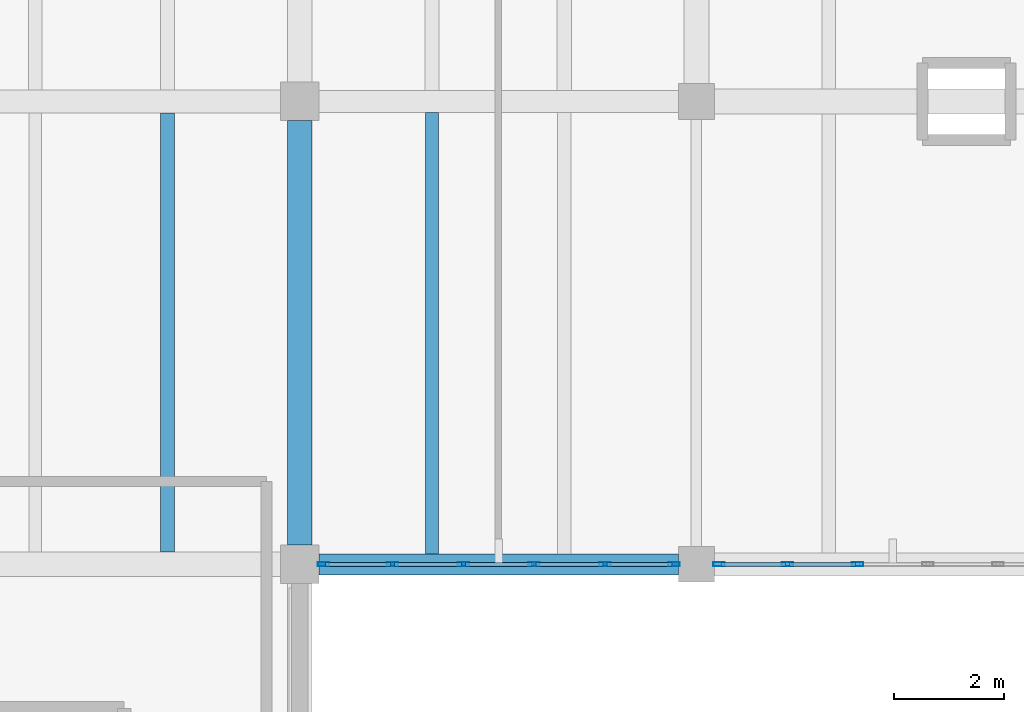
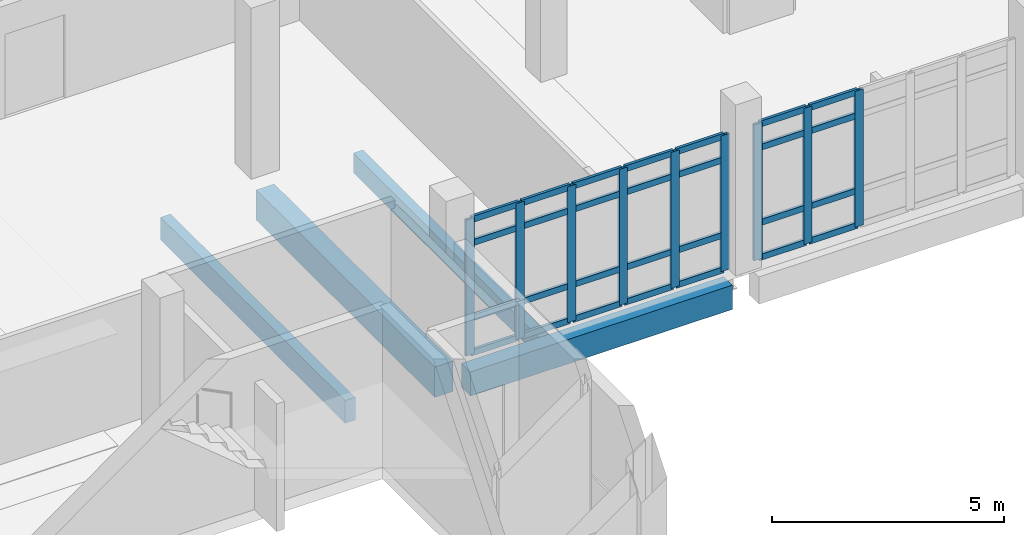
# One storey, part 25 of 57: 37 members, 4 beams, 2 elements without a shape of their own.
"""IFC4 building model written with IfcOpenShell, lengths in metres."""

from ifc_helpers import new_model, si_unit, direction, frame, origin, origin_2d, place, context, subcontext, project, spatial, rectangle, hollow_rectangle, extrude, material, material_profile, profile_set, type_object, element, aggregate, save


model = new_model("IFC4")

# Units and contexts
model_context = context("Model", 3, precision=1e-05, world=origin(), true_north=direction((0.0, 1.0)))
body_context = subcontext(model_context, "Body", "Model", "MODEL_VIEW")
ifc_project = project(units=[si_unit("LENGTHUNIT", "METRE"), si_unit("AREAUNIT", "SQUARE_METRE"), si_unit("VOLUMEUNIT", "CUBIC_METRE"), si_unit("PLANEANGLEUNIT", "RADIAN"), si_unit("MASSUNIT", "GRAM", prefix="KILO")], contexts=[model_context])

# Site, building, storey
site_placement = place(None, origin())
site = spatial("IfcSite", under=ifc_project, at=site_placement, CompositionType="ELEMENT")
building_placement = place(site_placement, origin())
building = spatial("IfcBuilding", under=site, at=building_placement, Name="Kalluvel Institute of Natural Sciences", CompositionType="ELEMENT")
storey_placement = place(building_placement, frame((0.0, 0.0, 23.39990234375)))
storey = spatial("IfcBuildingStorey", under=building, at=storey_placement, Name="L05", CompositionType="ELEMENT", Elevation=23.39990234375)

# Beams
ifc_material_1 = material(Name="Concrete M40", Category="concrete")
ifc_material_profile_1 = material_profile(ifc_material_1, rectangle(XDim=0.3798828125, YDim=0.639892578125, at=origin_2d()), Name="RCB 380x640")
ifc_profile_set_1 = profile_set([ifc_material_profile_1], Name="Concrete M40")
beam_type_1 = type_object("IfcBeamType", Name="BM-RC380x640", PredefinedType="BEAM", material=ifc_profile_set_1)
beam_1_placement = place(storey_placement, frame((57.550048828125, 102.800048828125, -0.639892578125), z_axis=(1.0, 0.0, 0.0), x_axis=(0.0, 1.0, 0.0)))
element("IfcBeam", 1, at=beam_1_placement, inside=storey, type_object=beam_type_1, Name="L05 girder GIR-L05-EW-X572-Y1028", PredefinedType="BEAM", context=body_context, shape_type="SweptSolid", body=[
    extrude(rectangle(XDim=0.3798828125, YDim=0.639892578125, at=origin_2d()), origin(), (0.0, 0.0, 1.0), 6.52490234375),
])
ifc_material_profile_2 = material_profile(ifc_material_1, rectangle(XDim=0.449951171875, YDim=0.800048828125, at=origin_2d()), Name="RCB 450x800")
ifc_profile_set_2 = profile_set([ifc_material_profile_2], Name="Concrete M40")
beam_type_2 = type_object("IfcBeamType", Name="BM-RC450x800", PredefinedType="BEAM", material=ifc_profile_set_2)
beam_2_placement = place(storey_placement, frame((57.199951171875, 103.14990234375, -0.719970703125), z_axis=(0.0, 1.0, 0.0), x_axis=(-1.0, 0.0, 0.0)))
element("IfcBeam", 2, at=beam_2_placement, inside=storey, type_object=beam_type_2, Name="L05 girder GIR-L05-NS-X572-Y1028", PredefinedType="BEAM", context=body_context, shape_type="SweptSolid", body=[
    extrude(rectangle(XDim=0.449951171875, YDim=0.800048828125, at=origin_2d()), origin(), (0.0, 0.0, 1.0), 7.7001953125),
])

# Curtain wall, members
ifc_material_2 = material(Name="Aluminium AW-6063 T6", Category="aluminium")
curtain_wall_type = type_object("IfcCurtainWallType", Name="CW-WET-45", PredefinedType="USERDEFINED", material=ifc_material_2)
curtain_wall_1_placement = place(storey_placement, origin())
curtain_wall_1 = element("IfcCurtainWall", 3, at=curtain_wall_1_placement, inside=storey, type_object=curtain_wall_type, Name="L05 Gothic lancet curtain wall CWA-L05-X576-Y1028", ObjectType="UNITISED LANCET FACADE", PredefinedType="USERDEFINED")
ifc_material_profile_3 = material_profile(ifc_material_2, hollow_rectangle(XDim=0.070068359375, YDim=0.2099609375, WallThickness=0.0048828125, at=origin_2d()), Name="CWM 70x210")
ifc_profile_set_3 = profile_set([ifc_material_profile_3], Name="Aluminium AW-6063 T6")
member_type_1 = type_object("IfcMemberType", Name="CWM-70x210", PredefinedType="MULLION", material=ifc_profile_set_3)
member_1_placement = place(storey_placement, frame((57.635009765625, 102.800048828125, 0.0), z_axis=(0.0, 0.0, 1.0), x_axis=(0.0, 1.0, 0.0)))
member_1 = element("IfcMember", 4, at=member_1_placement, type_object=member_type_1, Name="CW-01 mullion 1", PredefinedType="MULLION", context=body_context, shape_type="SweptSolid", body=[
    extrude(hollow_rectangle(XDim=0.070068359375, YDim=0.2099609375, WallThickness=0.0048828125, at=origin_2d()), origin(), (0.0, 0.0, 1.0), 3.580078125),
])
member_2_placement = place(storey_placement, frame((58.885009765625, 102.800048828125, 0.0), z_axis=(0.0, 0.0, 1.0), x_axis=(0.0, 1.0, 0.0)))
member_2 = element("IfcMember", 5, at=member_2_placement, type_object=member_type_1, Name="CW-01 mullion 2", PredefinedType="MULLION", context=body_context, shape_type="SweptSolid", body=[
    extrude(hollow_rectangle(XDim=0.070068359375, YDim=0.2099609375, WallThickness=0.0048828125, at=origin_2d()), origin(), (0.0, 0.0, 1.0), 3.580078125),
])
member_3_placement = place(storey_placement, frame((60.169921875, 102.800048828125, 0.0), z_axis=(0.0, 0.0, 1.0), x_axis=(0.0, 1.0, 0.0)))
member_3 = element("IfcMember", 6, at=member_3_placement, type_object=member_type_1, Name="CW-01 mullion 3", PredefinedType="MULLION", context=body_context, shape_type="SweptSolid", body=[
    extrude(hollow_rectangle(XDim=0.070068359375, YDim=0.2099609375, WallThickness=0.0048828125, at=origin_2d()), origin(), (0.0, 0.0, 1.0), 3.580078125),
])
member_4_placement = place(storey_placement, frame((61.455078125, 102.800048828125, 0.0), z_axis=(0.0, 0.0, 1.0), x_axis=(0.0, 1.0, 0.0)))
member_4 = element("IfcMember", 7, at=member_4_placement, type_object=member_type_1, Name="CW-01 mullion 4", PredefinedType="MULLION", context=body_context, shape_type="SweptSolid", body=[
    extrude(hollow_rectangle(XDim=0.070068359375, YDim=0.2099609375, WallThickness=0.0048828125, at=origin_2d()), origin(), (0.0, 0.0, 1.0), 3.580078125),
])
member_5_placement = place(storey_placement, frame((62.739990234375, 102.800048828125, 0.0), z_axis=(0.0, 0.0, 1.0), x_axis=(0.0, 1.0, 0.0)))
member_5 = element("IfcMember", 8, at=member_5_placement, type_object=member_type_1, Name="CW-01 mullion 5", PredefinedType="MULLION", context=body_context, shape_type="SweptSolid", body=[
    extrude(hollow_rectangle(XDim=0.070068359375, YDim=0.2099609375, WallThickness=0.0048828125, at=origin_2d()), origin(), (0.0, 0.0, 1.0), 3.580078125),
])
member_6_placement = place(storey_placement, frame((63.989990234375, 102.800048828125, 0.0), z_axis=(0.0, 0.0, 1.0), x_axis=(0.0, 1.0, 0.0)))
member_6 = element("IfcMember", 9, at=member_6_placement, type_object=member_type_1, Name="CW-01 mullion 6", PredefinedType="MULLION", context=body_context, shape_type="SweptSolid", body=[
    extrude(hollow_rectangle(XDim=0.070068359375, YDim=0.2099609375, WallThickness=0.0048828125, at=origin_2d()), origin(), (0.0, 0.0, 1.0), 3.580078125),
])

curtain_wall_2_placement = place(storey_placement, origin())
curtain_wall_2 = element("IfcCurtainWall", 10, at=curtain_wall_2_placement, inside=storey, type_object=curtain_wall_type, Name="L05 Gothic lancet curtain wall CWA-L05-X648-Y1028", ObjectType="UNITISED LANCET FACADE", PredefinedType="USERDEFINED")
member_7_placement = place(storey_placement, frame((64.81005859375, 102.800048828125, 0.0), z_axis=(0.0, 0.0, 1.0), x_axis=(0.0, 1.0, 0.0)))
member_7 = element("IfcMember", 11, at=member_7_placement, type_object=member_type_1, Name="CW-01 mullion 1", PredefinedType="MULLION", context=body_context, shape_type="SweptSolid", body=[
    extrude(hollow_rectangle(XDim=0.070068359375, YDim=0.2099609375, WallThickness=0.0048828125, at=origin_2d()), origin(), (0.0, 0.0, 1.0), 3.580078125),
])
member_8_placement = place(storey_placement, frame((66.050048828125, 102.800048828125, 0.0), z_axis=(0.0, 0.0, 1.0), x_axis=(0.0, 1.0, 0.0)))
member_8 = element("IfcMember", 12, at=member_8_placement, type_object=member_type_1, Name="CW-01 mullion 2", PredefinedType="MULLION", context=body_context, shape_type="SweptSolid", body=[
    extrude(hollow_rectangle(XDim=0.070068359375, YDim=0.2099609375, WallThickness=0.0048828125, at=origin_2d()), origin(), (0.0, 0.0, 1.0), 3.580078125),
])
member_9_placement = place(storey_placement, frame((67.324951171875, 102.800048828125, 0.0), z_axis=(0.0, 0.0, 1.0), x_axis=(0.0, 1.0, 0.0)))
member_9 = element("IfcMember", 13, at=member_9_placement, type_object=member_type_1, Name="CW-01 mullion 3", PredefinedType="MULLION", context=body_context, shape_type="SweptSolid", body=[
    extrude(hollow_rectangle(XDim=0.070068359375, YDim=0.2099609375, WallThickness=0.0048828125, at=origin_2d()), origin(), (0.0, 0.0, 1.0), 3.580078125),
])

# Member
ifc_material_profile_4 = material_profile(ifc_material_2, hollow_rectangle(XDim=0.070068359375, YDim=0.159912109375, WallThickness=0.0048828125, at=origin_2d()), Name="CWT 70x160")
ifc_profile_set_4 = profile_set([ifc_material_profile_4], Name="Aluminium AW-6063 T6")
member_type_2 = type_object("IfcMemberType", Name="CWT-70x160", PredefinedType="USERDEFINED", material=ifc_profile_set_4)
member_10_placement = place(storey_placement, frame((57.669921875, 102.800048828125, 0.03515625), z_axis=(1.0, 0.0, 0.0), x_axis=(0.0, 1.0, 0.0)))
member_10 = element("IfcMember", 14, at=member_10_placement, type_object=member_type_2, Name="CW-01 transom 1.1", ObjectType="TRANSOM", PredefinedType="USERDEFINED", context=body_context, shape_type="SweptSolid", body=[
    extrude(hollow_rectangle(XDim=0.070068359375, YDim=0.159912109375, WallThickness=0.0048828125, at=origin_2d()), origin(), (0.0, 0.0, 1.0), 1.18017578125),
])

member_11_placement = place(storey_placement, frame((57.669921875, 102.800048828125, 0.9501953125), z_axis=(1.0, 0.0, 0.0), x_axis=(0.0, 1.0, 0.0)))
member_11 = element("IfcMember", 15, at=member_11_placement, type_object=member_type_2, Name="CW-01 transom 1.2", ObjectType="TRANSOM", PredefinedType="USERDEFINED", context=body_context, shape_type="SweptSolid", body=[
    extrude(hollow_rectangle(XDim=0.070068359375, YDim=0.159912109375, WallThickness=0.0048828125, at=origin_2d()), origin(), (0.0, 0.0, 1.0), 1.18017578125),
])

member_12_placement = place(storey_placement, frame((57.669921875, 102.800048828125, 2.93017578125), z_axis=(1.0, 0.0, 0.0), x_axis=(0.0, 1.0, 0.0)))
member_12 = element("IfcMember", 16, at=member_12_placement, type_object=member_type_2, Name="CW-01 transom 1.3", ObjectType="TRANSOM", PredefinedType="USERDEFINED", context=body_context, shape_type="SweptSolid", body=[
    extrude(hollow_rectangle(XDim=0.070068359375, YDim=0.159912109375, WallThickness=0.0048828125, at=origin_2d()), origin(), (0.0, 0.0, 1.0), 1.18017578125),
])

member_13_placement = place(storey_placement, frame((57.669921875, 102.800048828125, 3.545166015625), z_axis=(1.0, 0.0, 0.0), x_axis=(0.0, 1.0, 0.0)))
member_13 = element("IfcMember", 17, at=member_13_placement, type_object=member_type_2, Name="CW-01 transom 1.4", ObjectType="TRANSOM", PredefinedType="USERDEFINED", context=body_context, shape_type="SweptSolid", body=[
    extrude(hollow_rectangle(XDim=0.070068359375, YDim=0.159912109375, WallThickness=0.0048828125, at=origin_2d()), origin(), (0.0, 0.0, 1.0), 1.18017578125),
])

member_14_placement = place(storey_placement, frame((58.919921875, 102.800048828125, 0.03515625), z_axis=(1.0, 0.0, 0.0), x_axis=(0.0, 1.0, 0.0)))
member_14 = element("IfcMember", 18, at=member_14_placement, type_object=member_type_2, Name="CW-01 transom 2.1", ObjectType="TRANSOM", PredefinedType="USERDEFINED", context=body_context, shape_type="SweptSolid", body=[
    extrude(hollow_rectangle(XDim=0.070068359375, YDim=0.159912109375, WallThickness=0.0048828125, at=origin_2d()), origin(), (0.0, 0.0, 1.0), 1.215087890625),
])

member_15_placement = place(storey_placement, frame((58.919921875, 102.800048828125, 0.9501953125), z_axis=(1.0, 0.0, 0.0), x_axis=(0.0, 1.0, 0.0)))
member_15 = element("IfcMember", 19, at=member_15_placement, type_object=member_type_2, Name="CW-01 transom 2.2", ObjectType="TRANSOM", PredefinedType="USERDEFINED", context=body_context, shape_type="SweptSolid", body=[
    extrude(hollow_rectangle(XDim=0.070068359375, YDim=0.159912109375, WallThickness=0.0048828125, at=origin_2d()), origin(), (0.0, 0.0, 1.0), 1.215087890625),
])

member_16_placement = place(storey_placement, frame((58.919921875, 102.800048828125, 2.93017578125), z_axis=(1.0, 0.0, 0.0), x_axis=(0.0, 1.0, 0.0)))
member_16 = element("IfcMember", 20, at=member_16_placement, type_object=member_type_2, Name="CW-01 transom 2.3", ObjectType="TRANSOM", PredefinedType="USERDEFINED", context=body_context, shape_type="SweptSolid", body=[
    extrude(hollow_rectangle(XDim=0.070068359375, YDim=0.159912109375, WallThickness=0.0048828125, at=origin_2d()), origin(), (0.0, 0.0, 1.0), 1.215087890625),
])

member_17_placement = place(storey_placement, frame((58.919921875, 102.800048828125, 3.545166015625), z_axis=(1.0, 0.0, 0.0), x_axis=(0.0, 1.0, 0.0)))
member_17 = element("IfcMember", 21, at=member_17_placement, type_object=member_type_2, Name="CW-01 transom 2.4", ObjectType="TRANSOM", PredefinedType="USERDEFINED", context=body_context, shape_type="SweptSolid", body=[
    extrude(hollow_rectangle(XDim=0.070068359375, YDim=0.159912109375, WallThickness=0.0048828125, at=origin_2d()), origin(), (0.0, 0.0, 1.0), 1.215087890625),
])

member_18_placement = place(storey_placement, frame((60.205078125, 102.800048828125, 0.03515625), z_axis=(1.0, 0.0, 0.0), x_axis=(0.0, 1.0, 0.0)))
member_18 = element("IfcMember", 22, at=member_18_placement, type_object=member_type_2, Name="CW-01 transom 3.1", ObjectType="TRANSOM", PredefinedType="USERDEFINED", context=body_context, shape_type="SweptSolid", body=[
    extrude(hollow_rectangle(XDim=0.070068359375, YDim=0.159912109375, WallThickness=0.0048828125, at=origin_2d()), origin(), (0.0, 0.0, 1.0), 1.21484375),
])

member_19_placement = place(storey_placement, frame((60.205078125, 102.800048828125, 0.9501953125), z_axis=(1.0, 0.0, 0.0), x_axis=(0.0, 1.0, 0.0)))
member_19 = element("IfcMember", 23, at=member_19_placement, type_object=member_type_2, Name="CW-01 transom 3.2", ObjectType="TRANSOM", PredefinedType="USERDEFINED", context=body_context, shape_type="SweptSolid", body=[
    extrude(hollow_rectangle(XDim=0.070068359375, YDim=0.159912109375, WallThickness=0.0048828125, at=origin_2d()), origin(), (0.0, 0.0, 1.0), 1.21484375),
])

member_20_placement = place(storey_placement, frame((60.205078125, 102.800048828125, 2.93017578125), z_axis=(1.0, 0.0, 0.0), x_axis=(0.0, 1.0, 0.0)))
member_20 = element("IfcMember", 24, at=member_20_placement, type_object=member_type_2, Name="CW-01 transom 3.3", ObjectType="TRANSOM", PredefinedType="USERDEFINED", context=body_context, shape_type="SweptSolid", body=[
    extrude(hollow_rectangle(XDim=0.070068359375, YDim=0.159912109375, WallThickness=0.0048828125, at=origin_2d()), origin(), (0.0, 0.0, 1.0), 1.21484375),
])

member_21_placement = place(storey_placement, frame((60.205078125, 102.800048828125, 3.545166015625), z_axis=(1.0, 0.0, 0.0), x_axis=(0.0, 1.0, 0.0)))
member_21 = element("IfcMember", 25, at=member_21_placement, type_object=member_type_2, Name="CW-01 transom 3.4", ObjectType="TRANSOM", PredefinedType="USERDEFINED", context=body_context, shape_type="SweptSolid", body=[
    extrude(hollow_rectangle(XDim=0.070068359375, YDim=0.159912109375, WallThickness=0.0048828125, at=origin_2d()), origin(), (0.0, 0.0, 1.0), 1.21484375),
])

member_22_placement = place(storey_placement, frame((61.489990234375, 102.800048828125, 0.03515625), z_axis=(1.0, 0.0, 0.0), x_axis=(0.0, 1.0, 0.0)))
member_22 = element("IfcMember", 26, at=member_22_placement, type_object=member_type_2, Name="CW-01 transom 4.1", ObjectType="TRANSOM", PredefinedType="USERDEFINED", context=body_context, shape_type="SweptSolid", body=[
    extrude(hollow_rectangle(XDim=0.070068359375, YDim=0.159912109375, WallThickness=0.0048828125, at=origin_2d()), origin(), (0.0, 0.0, 1.0), 1.215087890625),
])

member_23_placement = place(storey_placement, frame((61.489990234375, 102.800048828125, 0.9501953125), z_axis=(1.0, 0.0, 0.0), x_axis=(0.0, 1.0, 0.0)))
member_23 = element("IfcMember", 27, at=member_23_placement, type_object=member_type_2, Name="CW-01 transom 4.2", ObjectType="TRANSOM", PredefinedType="USERDEFINED", context=body_context, shape_type="SweptSolid", body=[
    extrude(hollow_rectangle(XDim=0.070068359375, YDim=0.159912109375, WallThickness=0.0048828125, at=origin_2d()), origin(), (0.0, 0.0, 1.0), 1.215087890625),
])

member_24_placement = place(storey_placement, frame((61.489990234375, 102.800048828125, 2.93017578125), z_axis=(1.0, 0.0, 0.0), x_axis=(0.0, 1.0, 0.0)))
member_24 = element("IfcMember", 28, at=member_24_placement, type_object=member_type_2, Name="CW-01 transom 4.3", ObjectType="TRANSOM", PredefinedType="USERDEFINED", context=body_context, shape_type="SweptSolid", body=[
    extrude(hollow_rectangle(XDim=0.070068359375, YDim=0.159912109375, WallThickness=0.0048828125, at=origin_2d()), origin(), (0.0, 0.0, 1.0), 1.215087890625),
])

member_25_placement = place(storey_placement, frame((61.489990234375, 102.800048828125, 3.545166015625), z_axis=(1.0, 0.0, 0.0), x_axis=(0.0, 1.0, 0.0)))
member_25 = element("IfcMember", 29, at=member_25_placement, type_object=member_type_2, Name="CW-01 transom 4.4", ObjectType="TRANSOM", PredefinedType="USERDEFINED", context=body_context, shape_type="SweptSolid", body=[
    extrude(hollow_rectangle(XDim=0.070068359375, YDim=0.159912109375, WallThickness=0.0048828125, at=origin_2d()), origin(), (0.0, 0.0, 1.0), 1.215087890625),
])

member_26_placement = place(storey_placement, frame((62.77490234375, 102.800048828125, 0.03515625), z_axis=(1.0, 0.0, 0.0), x_axis=(0.0, 1.0, 0.0)))
member_26 = element("IfcMember", 30, at=member_26_placement, type_object=member_type_2, Name="CW-01 transom 5.1", ObjectType="TRANSOM", PredefinedType="USERDEFINED", context=body_context, shape_type="SweptSolid", body=[
    extrude(hollow_rectangle(XDim=0.070068359375, YDim=0.159912109375, WallThickness=0.0048828125, at=origin_2d()), origin(), (0.0, 0.0, 1.0), 1.18017578125),
])

member_27_placement = place(storey_placement, frame((62.77490234375, 102.800048828125, 0.9501953125), z_axis=(1.0, 0.0, 0.0), x_axis=(0.0, 1.0, 0.0)))
member_27 = element("IfcMember", 31, at=member_27_placement, type_object=member_type_2, Name="CW-01 transom 5.2", ObjectType="TRANSOM", PredefinedType="USERDEFINED", context=body_context, shape_type="SweptSolid", body=[
    extrude(hollow_rectangle(XDim=0.070068359375, YDim=0.159912109375, WallThickness=0.0048828125, at=origin_2d()), origin(), (0.0, 0.0, 1.0), 1.18017578125),
])

member_28_placement = place(storey_placement, frame((62.77490234375, 102.800048828125, 2.93017578125), z_axis=(1.0, 0.0, 0.0), x_axis=(0.0, 1.0, 0.0)))
member_28 = element("IfcMember", 32, at=member_28_placement, type_object=member_type_2, Name="CW-01 transom 5.3", ObjectType="TRANSOM", PredefinedType="USERDEFINED", context=body_context, shape_type="SweptSolid", body=[
    extrude(hollow_rectangle(XDim=0.070068359375, YDim=0.159912109375, WallThickness=0.0048828125, at=origin_2d()), origin(), (0.0, 0.0, 1.0), 1.18017578125),
])

member_29_placement = place(storey_placement, frame((62.77490234375, 102.800048828125, 3.545166015625), z_axis=(1.0, 0.0, 0.0), x_axis=(0.0, 1.0, 0.0)))
member_29 = element("IfcMember", 33, at=member_29_placement, type_object=member_type_2, Name="CW-01 transom 5.4", ObjectType="TRANSOM", PredefinedType="USERDEFINED", context=body_context, shape_type="SweptSolid", body=[
    extrude(hollow_rectangle(XDim=0.070068359375, YDim=0.159912109375, WallThickness=0.0048828125, at=origin_2d()), origin(), (0.0, 0.0, 1.0), 1.18017578125),
])

aggregate(curtain_wall_1, [member_1, member_2, member_3, member_4, member_5, member_6, member_10, member_11, member_12, member_13, member_14, member_15, member_16, member_17, member_18, member_19, member_20, member_21, member_22, member_23, member_24, member_25, member_26, member_27, member_28, member_29])

member_30_placement = place(storey_placement, frame((64.844970703125, 102.800048828125, 0.03515625), z_axis=(1.0, 0.0, 0.0), x_axis=(0.0, 1.0, 0.0)))
member_30 = element("IfcMember", 34, at=member_30_placement, type_object=member_type_2, Name="CW-01 transom 1.1", ObjectType="TRANSOM", PredefinedType="USERDEFINED", context=body_context, shape_type="SweptSolid", body=[
    extrude(hollow_rectangle(XDim=0.070068359375, YDim=0.159912109375, WallThickness=0.0048828125, at=origin_2d()), origin(), (0.0, 0.0, 1.0), 1.169921875),
])

member_31_placement = place(storey_placement, frame((64.844970703125, 102.800048828125, 0.9501953125), z_axis=(1.0, 0.0, 0.0), x_axis=(0.0, 1.0, 0.0)))
member_31 = element("IfcMember", 35, at=member_31_placement, type_object=member_type_2, Name="CW-01 transom 1.2", ObjectType="TRANSOM", PredefinedType="USERDEFINED", context=body_context, shape_type="SweptSolid", body=[
    extrude(hollow_rectangle(XDim=0.070068359375, YDim=0.159912109375, WallThickness=0.0048828125, at=origin_2d()), origin(), (0.0, 0.0, 1.0), 1.169921875),
])

member_32_placement = place(storey_placement, frame((64.844970703125, 102.800048828125, 2.93017578125), z_axis=(1.0, 0.0, 0.0), x_axis=(0.0, 1.0, 0.0)))
member_32 = element("IfcMember", 36, at=member_32_placement, type_object=member_type_2, Name="CW-01 transom 1.3", ObjectType="TRANSOM", PredefinedType="USERDEFINED", context=body_context, shape_type="SweptSolid", body=[
    extrude(hollow_rectangle(XDim=0.070068359375, YDim=0.159912109375, WallThickness=0.0048828125, at=origin_2d()), origin(), (0.0, 0.0, 1.0), 1.169921875),
])

member_33_placement = place(storey_placement, frame((64.844970703125, 102.800048828125, 3.545166015625), z_axis=(1.0, 0.0, 0.0), x_axis=(0.0, 1.0, 0.0)))
member_33 = element("IfcMember", 37, at=member_33_placement, type_object=member_type_2, Name="CW-01 transom 1.4", ObjectType="TRANSOM", PredefinedType="USERDEFINED", context=body_context, shape_type="SweptSolid", body=[
    extrude(hollow_rectangle(XDim=0.070068359375, YDim=0.159912109375, WallThickness=0.0048828125, at=origin_2d()), origin(), (0.0, 0.0, 1.0), 1.169921875),
])

member_34_placement = place(storey_placement, frame((66.0849609375, 102.800048828125, 0.03515625), z_axis=(1.0, 0.0, 0.0), x_axis=(0.0, 1.0, 0.0)))
member_34 = element("IfcMember", 38, at=member_34_placement, type_object=member_type_2, Name="CW-01 transom 2.1", ObjectType="TRANSOM", PredefinedType="USERDEFINED", context=body_context, shape_type="SweptSolid", body=[
    extrude(hollow_rectangle(XDim=0.070068359375, YDim=0.159912109375, WallThickness=0.0048828125, at=origin_2d()), origin(), (0.0, 0.0, 1.0), 1.205078125),
])

member_35_placement = place(storey_placement, frame((66.0849609375, 102.800048828125, 0.9501953125), z_axis=(1.0, 0.0, 0.0), x_axis=(0.0, 1.0, 0.0)))
member_35 = element("IfcMember", 39, at=member_35_placement, type_object=member_type_2, Name="CW-01 transom 2.2", ObjectType="TRANSOM", PredefinedType="USERDEFINED", context=body_context, shape_type="SweptSolid", body=[
    extrude(hollow_rectangle(XDim=0.070068359375, YDim=0.159912109375, WallThickness=0.0048828125, at=origin_2d()), origin(), (0.0, 0.0, 1.0), 1.205078125),
])

member_36_placement = place(storey_placement, frame((66.0849609375, 102.800048828125, 2.93017578125), z_axis=(1.0, 0.0, 0.0), x_axis=(0.0, 1.0, 0.0)))
member_36 = element("IfcMember", 40, at=member_36_placement, type_object=member_type_2, Name="CW-01 transom 2.3", ObjectType="TRANSOM", PredefinedType="USERDEFINED", context=body_context, shape_type="SweptSolid", body=[
    extrude(hollow_rectangle(XDim=0.070068359375, YDim=0.159912109375, WallThickness=0.0048828125, at=origin_2d()), origin(), (0.0, 0.0, 1.0), 1.205078125),
])

member_37_placement = place(storey_placement, frame((66.0849609375, 102.800048828125, 3.545166015625), z_axis=(1.0, 0.0, 0.0), x_axis=(0.0, 1.0, 0.0)))
member_37 = element("IfcMember", 41, at=member_37_placement, type_object=member_type_2, Name="CW-01 transom 2.4", ObjectType="TRANSOM", PredefinedType="USERDEFINED", context=body_context, shape_type="SweptSolid", body=[
    extrude(hollow_rectangle(XDim=0.070068359375, YDim=0.159912109375, WallThickness=0.0048828125, at=origin_2d()), origin(), (0.0, 0.0, 1.0), 1.205078125),
])

aggregate(curtain_wall_2, [member_7, member_8, member_9, member_30, member_31, member_32, member_33, member_34, member_35, member_36, member_37])

# Beams
ifc_material_profile_5 = material_profile(ifc_material_1, rectangle(XDim=0.239990234375, YDim=0.52001953125, at=origin_2d()), Name="WAF 240x520")
ifc_profile_set_5 = profile_set([ifc_material_profile_5], Name="Concrete M40")
beam_type_3 = type_object("IfcBeamType", Name="WJ-240x520", PredefinedType="JOIST", material=ifc_profile_set_5)
beam_3_placement = place(storey_placement, frame((59.60009765625, 102.989990234375, -0.579833984375), z_axis=(0.0, 1.0, 0.0), x_axis=(-1.0, 0.0, 0.0)))
element("IfcBeam", 42, at=beam_3_placement, inside=storey, type_object=beam_type_3, Name="L05 waffle joist RIB-L05-0400", PredefinedType="JOIST", context=body_context, shape_type="SweptSolid", body=[
    extrude(rectangle(XDim=0.239990234375, YDim=0.52001953125, at=origin_2d()), origin(), (0.0, 0.0, 1.0), 8.010009765625),
])
ifc_material_profile_6 = material_profile(ifc_material_1, rectangle(XDim=0.25, YDim=0.60009765625, at=origin_2d()), Name="WAF 250x600")
ifc_profile_set_6 = profile_set([ifc_material_profile_6], Name="Concrete M40")
beam_type_4 = type_object("IfcBeamType", Name="WJ-250x600", PredefinedType="JOIST", material=ifc_profile_set_6)
beam_4_placement = place(storey_placement, frame((54.800048828125, 103.02490234375, -0.619873046875), z_axis=(0.0, 1.0, 0.0), x_axis=(-1.0, 0.0, 0.0)))
element("IfcBeam", 43, at=beam_4_placement, inside=storey, type_object=beam_type_4, Name="L05 waffle joist RIB-L05-0395", PredefinedType="JOIST", context=body_context, shape_type="SweptSolid", body=[
    extrude(rectangle(XDim=0.25, YDim=0.60009765625, at=origin_2d()), origin(), (0.0, 0.0, 1.0), 7.965087890625),
])

save(model, "model.ifc")
